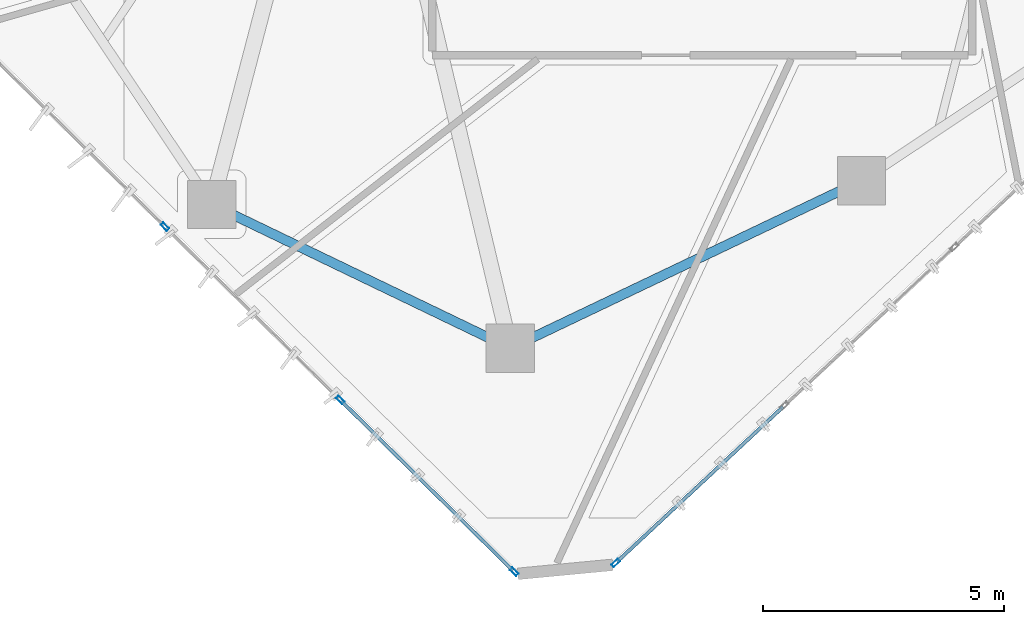
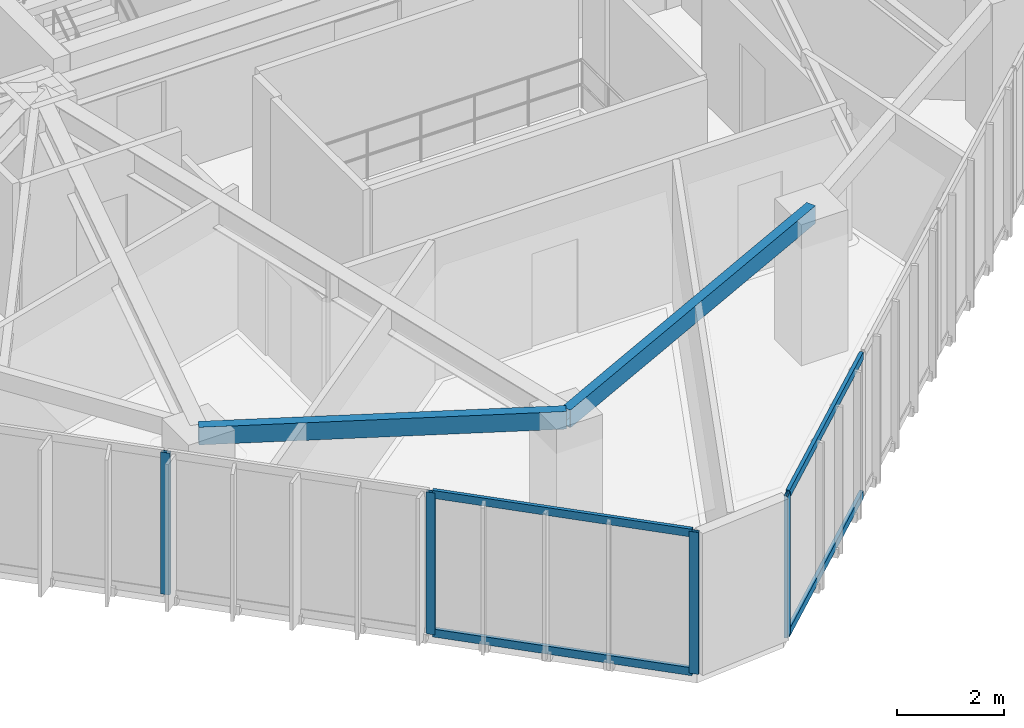
# One storey, part 2 of 19: 8 members, 2 beams, 2 elements without a shape of their own.
"""IFC4 building model written with IfcOpenShell, lengths in metres."""

from ifc_helpers import new_model, si_unit, direction, frame, origin, origin_2d, place, context, subcontext, project, spatial, hollow_rectangle, extrude, source, transform, mapped, material, layer, layer_set, material_profile, profile_set, type_object, type_shapes, element, aggregate, save


model = new_model("IFC4")

# Units and contexts
model_context = context("Model", 3, precision=1e-05, world=origin(), true_north=direction((0.0, 1.0)))
body_context = subcontext(model_context, "Body", "Model", "MODEL_VIEW")
ifc_project = project(units=[si_unit("LENGTHUNIT", "METRE"), si_unit("AREAUNIT", "SQUARE_METRE"), si_unit("VOLUMEUNIT", "CUBIC_METRE"), si_unit("PLANEANGLEUNIT", "RADIAN"), si_unit("MASSUNIT", "GRAM", prefix="KILO")], contexts=[model_context])

# Site, building, storey
site_placement = place(None, origin())
site = spatial("IfcSite", under=ifc_project, at=site_placement, CompositionType="ELEMENT")
building_placement = place(site_placement, origin())
building = spatial("IfcBuilding", under=site, at=building_placement, Name="Talar Marvaseh", CompositionType="ELEMENT")
storey_placement = place(building_placement, frame((0.0, 0.0, 218.699951171875)))
storey = spatial("IfcBuildingStorey", under=building, at=storey_placement, Name="L57", CompositionType="ELEMENT", Elevation=218.699951171875)

# Beams
ifc_material_1 = material(Name="Steel S355", Category="steel")
ifc_material_profile_1 = material_profile(ifc_material_1, hollow_rectangle(XDim=0.199951171875, YDim=0.39990234375, WallThickness=0.013916015625, at=origin_2d()), Name="RHS400x200x14")
ifc_profile_set_1 = profile_set([ifc_material_profile_1], Name="Steel S355")
beam_type = type_object("IfcBeamType", Name="Zone 3 Perimeter Spandrel Beam RHS400x200x14", PredefinedType="SPANDREL", material=ifc_profile_set_1)
beam_1_placement = place(storey_placement, frame((29.299072265625, 14.993896484375, 3.030029296875), z_axis=(-0.902562267408, -0.430559349511, 0.0), x_axis=(0.430559349511, -0.902562267408, 0.0)))
element("IfcBeam", 1, at=beam_1_placement, inside=storey, type_object=beam_type, Name="L57 Zone 3 Perimeter Spandrel Beam RHS400x200x14", PredefinedType="SPANDREL", context=body_context, shape_type="SweptSolid", body=[
    extrude(hollow_rectangle(XDim=0.199951171875, YDim=0.39990234375, WallThickness=0.013916015625, at=origin_2d()), origin(), (0.0, 0.0, 1.0), 8.070556640625),
])
beam_2_placement = place(storey_placement, frame((22.014892578125, 11.51904296875, 3.030029296875), z_axis=(-0.901071562993, 0.433670425975, 0.0), x_axis=(-0.433670425975, -0.901071562993, 0.0)))
element("IfcBeam", 2, at=beam_2_placement, inside=storey, type_object=beam_type, Name="L57 Zone 3 Perimeter Spandrel Beam RHS400x200x14", PredefinedType="SPANDREL", context=body_context, shape_type="SweptSolid", body=[
    extrude(hollow_rectangle(XDim=0.199951171875, YDim=0.39990234375, WallThickness=0.013916015625, at=origin_2d()), origin(), (0.0, 0.0, 1.0), 6.8759765625),
])

# Curtain wall, members
ifc_material_2 = material(Name="Architectural Aluminium", Category="aluminium")
ifc_layer = layer(ifc_material_2, 0.18994140625)
ifc_layer_set = layer_set([ifc_layer], Name="Architectural Aluminium")
curtain_wall_type = type_object("IfcCurtainWallType", Name="Unitised Solar Atelier Curtain Wall Z3", PredefinedType="NOTDEFINED", material=ifc_layer_set)
curtain_wall_1_placement = place(storey_placement, origin())
curtain_wall_1 = element("IfcCurtainWall", 3, at=curtain_wall_1_placement, inside=storey, type_object=curtain_wall_type, Name="L57 Unitised Solar Atelier Curtain Wall Z3", PredefinedType="NOTDEFINED")
ifc_material_profile_2 = material_profile(ifc_material_2, hollow_rectangle(XDim=0.074951171875, YDim=0.179931640625, WallThickness=0.0048828125, at=origin_2d()), Name="RHS180x75x5")
ifc_profile_set_2 = profile_set([ifc_material_profile_2], Name="Architectural Aluminium")
member_type_1 = type_object("IfcMemberType", Name="Unitised Curtain Wall Standard Mullion RHS180x75x5", PredefinedType="MULLION", material=ifc_profile_set_2)
shared_shape_1 = source(origin(), body_context, "Body", "SweptSolid", [
    extrude(hollow_rectangle(XDim=0.074951171875, YDim=0.179931640625, WallThickness=0.0048828125, at=origin_2d()), origin(), (0.0, 0.0, 1.0), 3.22998046875),
])
type_shapes(member_type_1, [shared_shape_1])
member_1_placement = place(storey_placement, frame((22.0966796875, 6.879638671875, 0.0), z_axis=(0.0, 0.0, 1.0), x_axis=(-0.702823760868, -0.711364014524, 0.0)))
member_1 = element("IfcMember", 4, at=member_1_placement, type_object=member_type_1, Name="CW-Z3 mullion 1", PredefinedType="MULLION", context=body_context, shape_type="MappedRepresentation", body=[
    mapped(shared_shape_1, transform((0.0, 0.0, 0.0), x_axis=(1.0, 0.0, 0.0), y_axis=(0.0, 1.0, 0.0), z_axis=(0.0, 0.0, 1.0), scale=1.0)),
])
member_2_placement = place(storey_placement, frame((18.486083984375, 10.447021484375, 0.0), z_axis=(0.0, 0.0, 1.0), x_axis=(-0.702823760868, -0.711364014524, 0.0)))
member_2 = element("IfcMember", 5, at=member_2_placement, type_object=member_type_1, Name="CW-Z3 mullion 2", PredefinedType="MULLION", context=body_context, shape_type="MappedRepresentation", body=[
    mapped(shared_shape_1, transform((0.0, 0.0, 0.0), x_axis=(1.0, 0.0, 0.0), y_axis=(0.0, 1.0, 0.0), z_axis=(0.0, 0.0, 1.0), scale=1.0)),
])
member_3_placement = place(storey_placement, frame((14.848876953125, 14.04052734375, 0.0), z_axis=(0.0, 0.0, 1.0), x_axis=(-0.702823760868, -0.711364014524, 0.0)))
member_3 = element("IfcMember", 6, at=member_3_placement, type_object=member_type_1, Name="CW-Z3 mullion 3", PredefinedType="MULLION", context=body_context, shape_type="MappedRepresentation", body=[
    mapped(shared_shape_1, transform((0.0, 0.0, 0.0), x_axis=(1.0, 0.0, 0.0), y_axis=(0.0, 1.0, 0.0), z_axis=(0.0, 0.0, 1.0), scale=1.0)),
])

# Curtain wall, member
curtain_wall_2_placement = place(storey_placement, origin())
curtain_wall_2 = element("IfcCurtainWall", 7, at=curtain_wall_2_placement, inside=storey, type_object=curtain_wall_type, Name="L57 Unitised Solar Atelier Curtain Wall Z3", PredefinedType="NOTDEFINED")
member_4_placement = place(storey_placement, frame((24.20263671875, 7.06494140625, 0.0), z_axis=(0.0, 0.0, 1.0), x_axis=(0.682110225084, -0.731249369802, 0.0)))
member_4 = element("IfcMember", 8, at=member_4_placement, type_object=member_type_1, Name="CW-Z3 mullion 5", PredefinedType="MULLION", context=body_context, shape_type="MappedRepresentation", body=[
    mapped(shared_shape_1, transform((0.0, 0.0, 0.0), x_axis=(1.0, 0.0, 0.0), y_axis=(0.0, 1.0, 0.0), z_axis=(0.0, 0.0, 1.0), scale=1.0)),
])

# Member
ifc_material_profile_3 = material_profile(ifc_material_2, hollow_rectangle(XDim=0.074951171875, YDim=0.179931640625, WallThickness=0.0048828125, at=origin_2d()), Name="RHS180x75x5")
ifc_profile_set_3 = profile_set([ifc_material_profile_3], Name="Architectural Aluminium")
member_type_2 = type_object("IfcMemberType", Name="Unitised Curtain Wall Transom RHS180x75x5", PredefinedType="USERDEFINED", material=ifc_profile_set_3)
shared_shape_2 = source(origin(), body_context, "Body", "SweptSolid", [
    extrude(hollow_rectangle(XDim=0.074951171875, YDim=0.179931640625, WallThickness=0.0048828125, at=origin_2d()), origin(), (0.0, 0.0, 1.0), 5.000732421875),
])
member_5_placement = place(storey_placement, frame((22.070068359375, 6.906005859375, 0.03759765625), z_axis=(-0.711365684383, 0.702822070714, 0.0), x_axis=(-0.702822070714, -0.711365684383, 0.0)))
member_5 = element("IfcMember", 9, at=member_5_placement, type_object=member_type_2, Name="CW-Z3 transom 1.1", ObjectType="TRANSOM", PredefinedType="USERDEFINED", context=body_context, shape_type="MappedRepresentation", body=[
    mapped(shared_shape_2, transform((0.0, 0.0, 0.0), x_axis=(1.0, 0.0, 0.0), y_axis=(0.0, 1.0, 0.0), z_axis=(0.0, 0.0, 1.0), scale=1.0)),
])

member_6_placement = place(storey_placement, frame((22.070068359375, 6.906005859375, 3.192626953125), z_axis=(-0.711365684383, 0.702822070714, 0.0), x_axis=(-0.702822070714, -0.711365684383, 0.0)))
member_6 = element("IfcMember", 10, at=member_6_placement, type_object=member_type_2, Name="CW-Z3 transom 1.2", ObjectType="TRANSOM", PredefinedType="USERDEFINED", context=body_context, shape_type="MappedRepresentation", body=[
    mapped(shared_shape_2, transform((0.0, 0.0, 0.0), x_axis=(1.0, 0.0, 0.0), y_axis=(0.0, 1.0, 0.0), z_axis=(0.0, 0.0, 1.0), scale=1.0)),
])

aggregate(curtain_wall_1, [member_1, member_2, member_3, member_5, member_6])

shared_shape_3 = source(origin(), body_context, "Body", "SweptSolid", [
    extrude(hollow_rectangle(XDim=0.074951171875, YDim=0.179931640625, WallThickness=0.0048828125, at=origin_2d()), origin(), (0.0, 0.0, 1.0), 4.70947265625),
])
type_shapes(member_type_2, [shared_shape_2, shared_shape_3])
member_7_placement = place(storey_placement, frame((27.674072265625, 10.302978515625, 0.03759765625), z_axis=(-0.731251761124, -0.682107661482, 0.0), x_axis=(0.682107661482, -0.731251761124, 0.0)))
member_7 = element("IfcMember", 11, at=member_7_placement, type_object=member_type_2, Name="CW-Z3 transom 4.1", ObjectType="TRANSOM", PredefinedType="USERDEFINED", context=body_context, shape_type="MappedRepresentation", body=[
    mapped(shared_shape_3, transform((0.0, 0.0, 0.0), x_axis=(1.0, 0.0, 0.0), y_axis=(0.0, 1.0, 0.0), z_axis=(0.0, 0.0, 1.0), scale=1.0)),
])

member_8_placement = place(storey_placement, frame((27.674072265625, 10.302978515625, 3.192626953125), z_axis=(-0.731251761124, -0.682107661482, 0.0), x_axis=(0.682107661482, -0.731251761124, 0.0)))
member_8 = element("IfcMember", 12, at=member_8_placement, type_object=member_type_2, Name="CW-Z3 transom 4.2", ObjectType="TRANSOM", PredefinedType="USERDEFINED", context=body_context, shape_type="MappedRepresentation", body=[
    mapped(shared_shape_3, transform((0.0, 0.0, 0.0), x_axis=(1.0, 0.0, 0.0), y_axis=(0.0, 1.0, 0.0), z_axis=(0.0, 0.0, 1.0), scale=1.0)),
])

aggregate(curtain_wall_2, [member_4, member_7, member_8])

save(model, "model.ifc")
